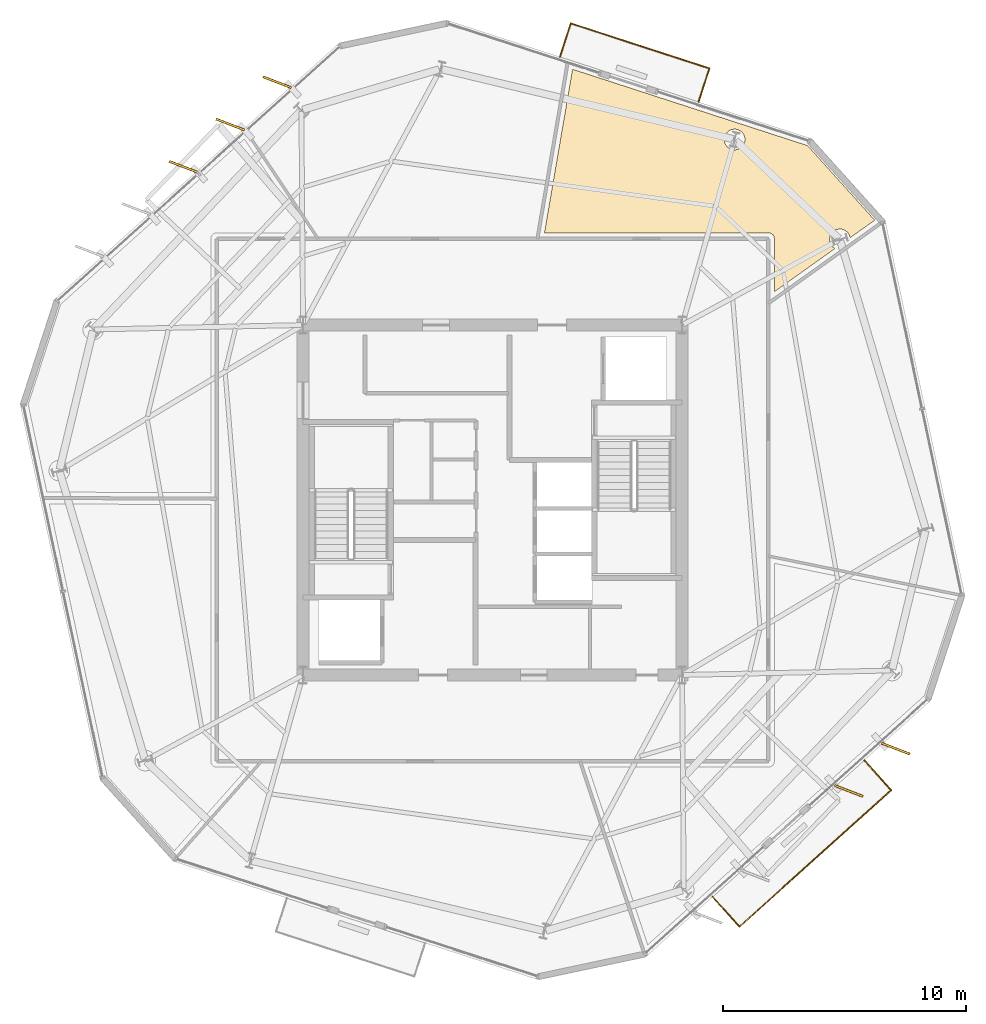
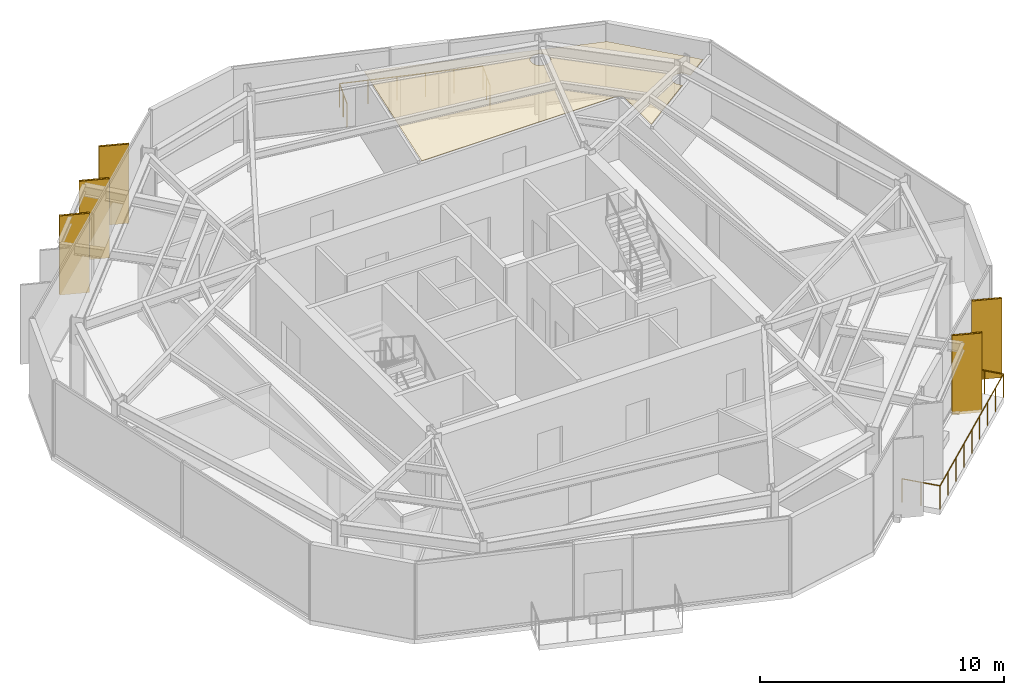
# One storey, part 11 of 11: 6 coverings, 5 shading devices, 2 railings.
"""IFC4 building model written with IfcOpenShell, lengths in metres."""

from ifc_helpers import new_model, si_unit, direction, frame, origin, origin_2d, place, context, subcontext, project, spatial, polyline, rectangle, circle, outline, extrude, material, layer, layer_set, type_object, element, save


model = new_model("IFC4")

# Units and contexts
model_context = context("Model", 3, precision=1e-05, world=origin(), true_north=direction((0.0, 1.0)))
body_context = subcontext(model_context, "Body", "Model", "MODEL_VIEW")
ifc_project = project(units=[si_unit("LENGTHUNIT", "METRE"), si_unit("AREAUNIT", "SQUARE_METRE"), si_unit("VOLUMEUNIT", "CUBIC_METRE"), si_unit("PLANEANGLEUNIT", "RADIAN"), si_unit("MASSUNIT", "GRAM", prefix="KILO")], contexts=[model_context])

# Site, building, storey
site_placement = place(None, origin())
site = spatial("IfcSite", under=ifc_project, at=site_placement, CompositionType="ELEMENT")
building_placement = place(site_placement, origin())
building = spatial("IfcBuilding", under=site, at=building_placement, Name="Kranzbogen Civic Tower", CompositionType="ELEMENT")
storey_placement = place(building_placement, frame((0.0, 0.0, 192.800048828125)))
storey = spatial("IfcBuildingStorey", under=building, at=storey_placement, Name="L46", CompositionType="ELEMENT", Elevation=192.800048828125)

# Coverings
ifc_material_1 = material(Name="Pale Anodised Aluminium", Category="aluminium")
ifc_layer_1 = layer(ifc_material_1, 0.02490234375, Name="Pale Anodised Aluminium")
ifc_layer_set_1 = layer_set([ifc_layer_1], Name="Pale Anodised Aluminium")
covering_type_1 = type_object("IfcCoveringType", Name="Anodised Aluminium Vertical Fin Cladding 25 mm", PredefinedType="CLADDING", material=ifc_layer_set_1)
for number, where, z_axis, x_axis, name in (
    (1, (16.136962890625, 42.19189453125, -0.14013671875), (0.0, 0.0, 1.0), (-0.933323744767, 0.359035913878, 0.0), "L46 vertical fin pale-metal cladding F2-1"),
    (2, (14.2041015625, 40.451904296875, -0.14013671875), (0.0, 0.0, 1.0), (-0.933323744767, 0.359035913878, 0.0), "L46 vertical fin pale-metal cladding F2-2"),
    (3, (12.27197265625, 38.712890625, -0.14013671875), (0.0, 0.0, 1.0), (-0.933323744767, 0.359035913878, 0.0), "L46 vertical fin pale-metal cladding F2-3"),
    (4, (39.659912109375, 13.027099609375, -0.14013671875), (0.0, 0.0, 1.0), (0.933323744767, -0.359035913878, 0.0), "L46 vertical fin pale-metal cladding F5-4"),
    (5, (41.592041015625, 14.76708984375, -0.14013671875), (0.0, 0.0, 1.0), (0.933323744767, -0.359035913878, 0.0), "L46 vertical fin pale-metal cladding F5-5"),
):
    element("IfcCovering", number, at=place(storey_placement, frame(where, z_axis=z_axis, x_axis=x_axis)), inside=storey, type_object=covering_type_1, Name=name, PredefinedType="CLADDING", context=body_context, shape_type="SweptSolid", body=[
        extrude(rectangle(XDim=1.25, YDim=0.10009765625, at=origin_2d()), origin(), (0.0, 0.0, 1.0), 3.9599609375),
    ])

# Shading devices
ifc_material_2 = material(Name="Anodised Bronze Aluminium", Category="aluminium")
shading_device_type = type_object("IfcShadingDeviceType", Name="Anodised Bronze Vertical Facade Fin 1250x80", PredefinedType="USERDEFINED", material=ifc_material_2)
for number, where, z_axis, x_axis, name in (
    (6, (16.136962890625, 42.19189453125, -0.14013671875), (0.0, 0.0, 1.0), (-0.933323744767, 0.359035913878, 0.0), "L46 vertical exterior shading fin F2-1"),
    (7, (14.2041015625, 40.451904296875, -0.14013671875), (0.0, 0.0, 1.0), (-0.933323744767, 0.359035913878, 0.0), "L46 vertical exterior shading fin F2-2"),
    (8, (12.27197265625, 38.712890625, -0.14013671875), (0.0, 0.0, 1.0), (-0.933323744767, 0.359035913878, 0.0), "L46 vertical exterior shading fin F2-3"),
    (9, (39.659912109375, 13.027099609375, -0.14013671875), (0.0, 0.0, 1.0), (0.933323744767, -0.359035913878, 0.0), "L46 vertical exterior shading fin F5-4"),
    (10, (41.592041015625, 14.76708984375, -0.14013671875), (0.0, 0.0, 1.0), (0.933323744767, -0.359035913878, 0.0), "L46 vertical exterior shading fin F5-5"),
):
    element("IfcShadingDevice", number, at=place(storey_placement, frame(where, z_axis=z_axis, x_axis=x_axis)), inside=storey, type_object=shading_device_type, Name=name, ObjectType="FIN", PredefinedType="USERDEFINED", context=body_context, shape_type="SweptSolid", body=[
        extrude(rectangle(XDim=1.25, YDim=0.080078125, at=origin_2d()), origin(), (0.0, 0.0, 1.0), 3.9599609375),
    ])

# Railings
railing_type = type_object("IfcRailingType", Name="Cantilevered Balcony Glass and Bronze Balustrade 1200", PredefinedType="BALUSTRADE", material=ifc_material_2)
railing_1_placement = place(storey_placement, frame((33.47705078125, 41.382080078125, 0.0)))
element("IfcRailing", 11, at=railing_1_placement, inside=storey, type_object=railing_type, Name="L46 exterior terrace balustrade L46-TB1", PredefinedType="BALUSTRADE", context=body_context, shape_type="SweptSolid", body=[
    extrude(circle(Radius=0.02392578125, at=origin_2d()), frame((0.0, 0.0, 1.17578125), z_axis=(0.308994689397, 0.951063763333, 0.0), x_axis=(-0.951063763333, 0.308994689397, 0.0)), (0.0, 0.0, 1.0), 1.449951171875),
    extrude(circle(Radius=0.02392578125, at=origin_2d()), frame((0.447998046875, 1.37890625, 1.17578125), z_axis=(-0.951056793033, 0.309016142662, 0.0), x_axis=(-0.309016142662, -0.951056793033, 0.0)), (0.0, 0.0, 1.0), 5.999755859375),
    extrude(circle(Radius=0.02392578125, at=origin_2d()), frame((-5.258056640625, 3.23291015625, 1.17578125), z_axis=(-0.308994689397, -0.951063763333, 0.0), x_axis=(0.951063763333, -0.308994689397, 0.0)), (0.0, 0.0, 1.0), 1.449951171875),
    extrude(circle(Radius=0.02099609375, at=origin_2d()), origin(), (0.0, 0.0, 1.0), 1.15185546875),
    extrude(circle(Radius=0.02099609375, at=origin_2d()), frame((0.22412109375, 0.689453125, 0.0)), (0.0, 0.0, 1.0), 1.15185546875),
    extrude(circle(Radius=0.02099609375, at=origin_2d()), frame((0.447998046875, 1.37890625, 0.0)), (0.0, 0.0, 1.0), 1.15185546875),
    extrude(circle(Radius=0.02099609375, at=origin_2d()), frame((-0.693115234375, 1.749755859375, 0.0)), (0.0, 0.0, 1.0), 1.15185546875),
    extrude(circle(Radius=0.02099609375, at=origin_2d()), frame((-1.83447265625, 2.12060546875, 0.0)), (0.0, 0.0, 1.0), 1.15185546875),
    extrude(circle(Radius=0.02099609375, at=origin_2d()), frame((-2.9755859375, 2.4912109375, 0.0)), (0.0, 0.0, 1.0), 1.15185546875),
    extrude(circle(Radius=0.02099609375, at=origin_2d()), frame((-4.116943359375, 2.862060546875, 0.0)), (0.0, 0.0, 1.0), 1.15185546875),
    extrude(circle(Radius=0.02099609375, at=origin_2d()), frame((-5.258056640625, 3.23291015625, 0.0)), (0.0, 0.0, 1.0), 1.15185546875),
    extrude(circle(Radius=0.02099609375, at=origin_2d()), frame((-5.48193359375, 2.54345703125, 0.0)), (0.0, 0.0, 1.0), 1.15185546875),
    extrude(circle(Radius=0.02099609375, at=origin_2d()), frame((-5.7060546875, 1.85400390625, 0.0)), (0.0, 0.0, 1.0), 1.15185546875),
])
railing_2_placement = place(storey_placement, frame((34.056884765625, 8.6640625, 0.0)))
element("IfcRailing", 12, at=railing_2_placement, inside=storey, type_object=railing_type, Name="L46 exterior terrace balustrade L46-ST", PredefinedType="BALUSTRADE", context=body_context, shape_type="SweptSolid", body=[
    extrude(circle(Radius=0.02392578125, at=origin_2d()), frame((0.0, 0.0, 1.17578125), z_axis=(0.66914457159, -0.74313225089, 0.0), x_axis=(0.74313225089, 0.66914457159, 0.0)), (0.0, 0.0, 1.0), 1.64990234375),
    extrude(circle(Radius=0.02392578125, at=origin_2d()), frame((1.10400390625, -1.22607421875, 1.17578125), z_axis=(0.743109135712, 0.669170241733, 0.0), x_axis=(-0.669170241733, 0.743109135712, 0.0)), (0.0, 0.0, 1.0), 8.400146484375),
    extrude(circle(Radius=0.02392578125, at=origin_2d()), frame((7.34619140625, 4.39501953125, 1.17578125), z_axis=(-0.669218159058, 0.743065983333, 0.0), x_axis=(-0.743065983333, -0.669218159058, 0.0)), (0.0, 0.0, 1.0), 1.649658203125),
    extrude(circle(Radius=0.02099609375, at=origin_2d()), origin(), (0.0, 0.0, 1.0), 1.15185546875),
    extrude(circle(Radius=0.02099609375, at=origin_2d()), frame((0.552001953125, -0.613037109375, 0.0)), (0.0, 0.0, 1.0), 1.15185546875),
    extrude(circle(Radius=0.02099609375, at=origin_2d()), frame((1.10400390625, -1.22607421875, 0.0)), (0.0, 0.0, 1.0), 1.15185546875),
    extrude(circle(Radius=0.02099609375, at=origin_2d()), frame((1.88427734375, -0.5234375, 0.0)), (0.0, 0.0, 1.0), 1.15185546875),
    extrude(circle(Radius=0.02099609375, at=origin_2d()), frame((2.66455078125, 0.17919921875, 0.0)), (0.0, 0.0, 1.0), 1.15185546875),
    extrude(circle(Radius=0.02099609375, at=origin_2d()), frame((3.44482421875, 0.8818359375, 0.0)), (0.0, 0.0, 1.0), 1.15185546875),
    extrude(circle(Radius=0.02099609375, at=origin_2d()), frame((4.22509765625, 1.58447265625, 0.0)), (0.0, 0.0, 1.0), 1.15185546875),
    extrude(circle(Radius=0.02099609375, at=origin_2d()), frame((5.00537109375, 2.287109375, 0.0)), (0.0, 0.0, 1.0), 1.15185546875),
    extrude(circle(Radius=0.02099609375, at=origin_2d()), frame((5.78564453125, 2.98974609375, 0.0)), (0.0, 0.0, 1.0), 1.15185546875),
    extrude(circle(Radius=0.02099609375, at=origin_2d()), frame((6.56591796875, 3.6923828125, 0.0)), (0.0, 0.0, 1.0), 1.15185546875),
    extrude(circle(Radius=0.02099609375, at=origin_2d()), frame((7.34619140625, 4.39501953125, 0.0)), (0.0, 0.0, 1.0), 1.15185546875),
    extrude(circle(Radius=0.02099609375, at=origin_2d()), frame((6.794189453125, 5.0078125, 0.0)), (0.0, 0.0, 1.0), 1.15185546875),
    extrude(circle(Radius=0.02099609375, at=origin_2d()), frame((6.2421875, 5.620849609375, 0.0)), (0.0, 0.0, 1.0), 1.15185546875),
])

# Covering
ifc_material_3 = material(Name="Perforated Acoustic Gypsum Ceiling")
ifc_layer_2 = layer(ifc_material_3, 0.02490234375, Name="Perforated Acoustic Gypsum Ceiling")
ifc_layer_set_2 = layer_set([ifc_layer_2], Name="Perforated Acoustic Gypsum Ceiling")
covering_type_2 = type_object("IfcCoveringType", Name="Perforated Acoustic Mineral Ceiling Tile 25 mm", PredefinedType="CEILING", material=ifc_layer_set_2)
covering_placement = place(storey_placement, frame((0.0, 0.0, 2.89990234375)))
element("IfcCovering", 13, at=covering_placement, inside=storey, type_object=covering_type_2, Name="L46 Central Mail Post Room acoustic ceiling", PredefinedType="CEILING", context=body_context, shape_type="SweptSolid", body=[
    extrude(outline(polyline([(40.72705078125, 36.513916015625), (39.712890625, 35.791015625), (39.7099609375, 35.806884765625), (39.699951171875, 35.847900390625), (39.68603515625, 35.886962890625), (39.66796875, 35.925048828125), (39.64697265625, 35.9599609375), (39.6220703125, 35.993896484375), (39.593994140625, 36.02490234375), (39.56298828125, 36.052978515625), (39.529052734375, 36.077880859375), (39.493896484375, 36.09912109375), (39.4560546875, 36.116943359375), (39.4169921875, 36.131103515625), (39.3759765625, 36.14111328125), (39.3349609375, 36.14697265625), (39.29296875, 36.14892578125), (39.2509765625, 36.14697265625), (39.2099609375, 36.14111328125), (39.1689453125, 36.131103515625), (39.1298828125, 36.116943359375), (39.092041015625, 36.09912109375), (39.056884765625, 36.077880859375), (39.02294921875, 36.052978515625), (38.991943359375, 36.02490234375), (38.964111328125, 35.993896484375), (38.93896484375, 35.9599609375), (38.91796875, 35.925048828125), (38.89990234375, 35.886962890625), (38.885986328125, 35.847900390625), (38.8759765625, 35.806884765625), (38.8701171875, 35.76611328125), (38.867919921875, 35.72412109375), (38.8701171875, 35.681884765625), (38.8759765625, 35.64111328125), (38.885986328125, 35.60009765625), (38.89990234375, 35.56103515625), (38.91796875, 35.52294921875), (38.93896484375, 35.488037109375), (38.964111328125, 35.4541015625), (38.991943359375, 35.423095703125), (39.02294921875, 35.39501953125), (39.056884765625, 35.3701171875), (39.092041015625, 35.34912109375), (36.594970703125, 33.568115234375), (36.594970703125, 35.75), (36.594970703125, 35.759033203125), (36.593994140625, 35.764892578125), (36.593017578125, 35.782958984375), (36.592041015625, 35.7890625), (36.587890625, 35.805908203125), (36.5869140625, 35.81298828125), (36.58203125, 35.830078125), (36.580078125, 35.8359375), (36.572998046875, 35.85205078125), (36.570068359375, 35.85791015625), (36.56201171875, 35.873046875), (36.55810546875, 35.87890625), (36.549072265625, 35.89306640625), (36.544921875, 35.89794921875), (36.533935546875, 35.912109375), (36.529052734375, 35.9169921875), (36.51708984375, 35.928955078125), (36.511962890625, 35.93408203125), (36.498046875, 35.945068359375), (36.492919921875, 35.948974609375), (36.47900390625, 35.9580078125), (36.472900390625, 35.9619140625), (36.4580078125, 35.969970703125), (36.451904296875, 35.972900390625), (36.43603515625, 35.97998046875), (36.429931640625, 35.98193359375), (36.4130859375, 35.987060546875), (36.406005859375, 35.988037109375), (36.388916015625, 35.991943359375), (36.383056640625, 35.992919921875), (36.364990234375, 35.993896484375), (36.35888671875, 35.9951171875), (36.35009765625, 35.9951171875), (27.135986328125, 35.9951171875), (28.2919921875, 42.72509765625), (37.964111328125, 39.5830078125), (40.72705078125, 36.513916015625)]), holes=[polyline([(35.35400390625, 39.672119140625), (35.3359375, 39.634033203125), (35.31494140625, 39.59912109375), (35.2900390625, 39.56494140625), (35.261962890625, 39.533935546875), (35.23095703125, 39.506103515625), (35.197021484375, 39.48095703125), (35.162109375, 39.4599609375), (35.1240234375, 39.44189453125), (35.0849609375, 39.427978515625), (35.0439453125, 39.41796875), (35.0029296875, 39.412109375), (34.9609375, 39.409912109375), (34.9189453125, 39.412109375), (34.8779296875, 39.41796875), (34.8369140625, 39.427978515625), (34.798095703125, 39.44189453125), (34.760009765625, 39.4599609375), (34.72509765625, 39.48095703125), (34.69091796875, 39.506103515625), (34.659912109375, 39.533935546875), (34.632080078125, 39.56494140625), (34.60693359375, 39.59912109375), (34.5859375, 39.634033203125), (34.568115234375, 39.672119140625), (34.553955078125, 39.7109375), (34.5439453125, 39.751953125), (34.5380859375, 39.79296875), (34.535888671875, 39.8349609375), (34.5380859375, 39.876953125), (34.5439453125, 39.91796875), (34.553955078125, 39.958984375), (34.568115234375, 39.998046875), (34.5859375, 40.035888671875), (34.60693359375, 40.071044921875), (34.632080078125, 40.10498046875), (34.659912109375, 40.135986328125), (34.69091796875, 40.1640625), (34.72509765625, 40.18896484375), (34.760009765625, 40.2099609375), (34.798095703125, 40.22802734375), (34.8369140625, 40.241943359375), (34.8779296875, 40.251953125), (34.9189453125, 40.258056640625), (34.9609375, 40.260009765625), (35.0029296875, 40.258056640625), (35.0439453125, 40.251953125), (35.0849609375, 40.241943359375), (35.1240234375, 40.22802734375), (35.162109375, 40.2099609375), (35.197021484375, 40.18896484375), (35.23095703125, 40.1640625), (35.261962890625, 40.135986328125), (35.2900390625, 40.10498046875), (35.31494140625, 40.071044921875), (35.3359375, 40.035888671875), (35.35400390625, 39.998046875), (35.367919921875, 39.958984375), (35.3779296875, 39.91796875), (35.384033203125, 39.876953125), (35.385986328125, 39.8349609375), (35.384033203125, 39.79296875), (35.3779296875, 39.751953125), (35.367919921875, 39.7109375), (35.35400390625, 39.672119140625)])]), origin(), (0.0, 0.0, 1.0), 0.025146484375),
])

save(model, "model.ifc")
